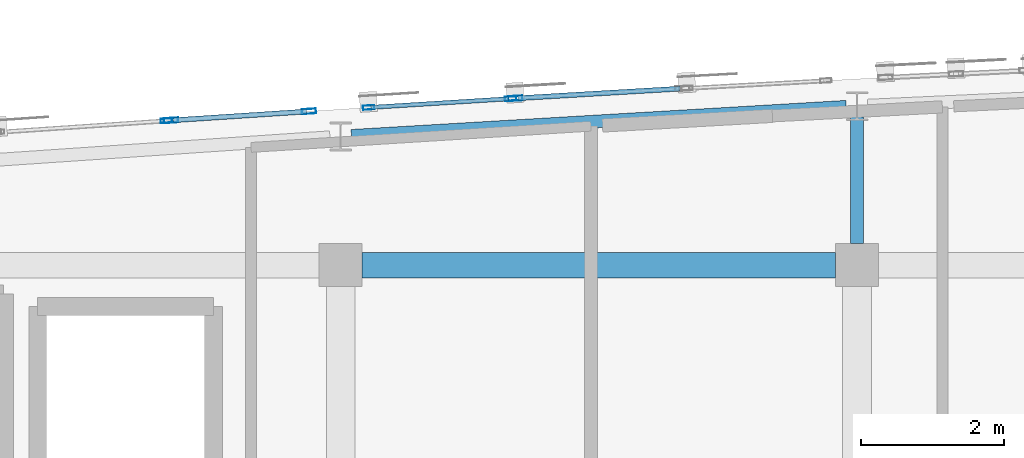
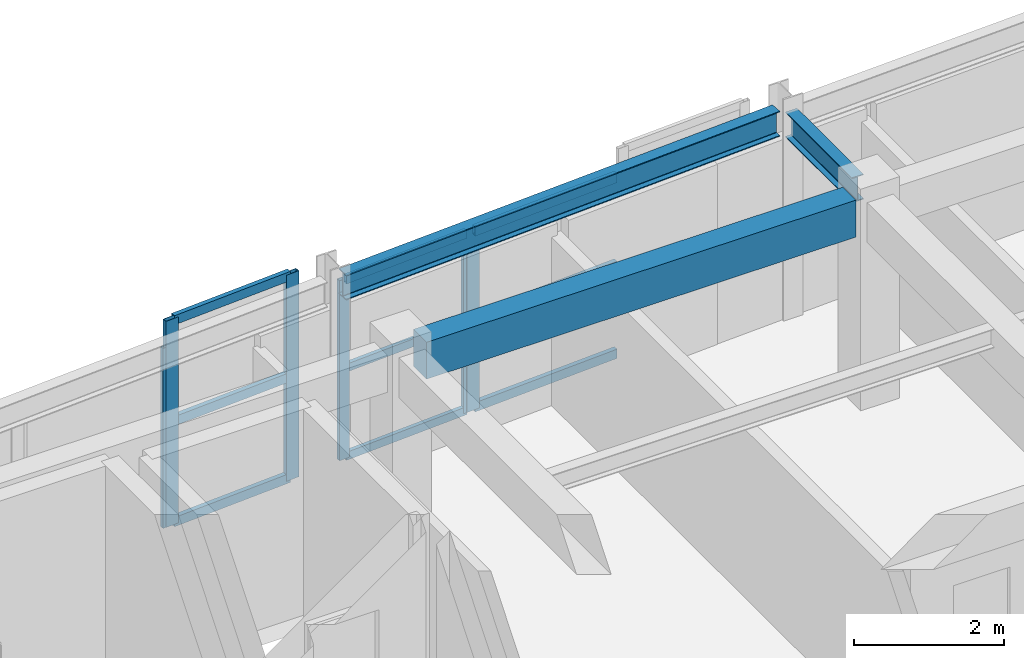
# One storey, part 16 of 73: 15 members, 3 beams, 4 elements without a shape of their own.
"""IFC4 building model written with IfcOpenShell, lengths in metres."""

from ifc_helpers import new_model, si_unit, direction, frame, origin, origin_2d, place, context, subcontext, project, spatial, rectangle, hollow_rectangle, i_section, extrude, material, layer, layer_set, material_profile, profile_set, type_object, element, aggregate, save


model = new_model("IFC4")

# Units and contexts
model_context = context("Model", 3, precision=1e-05, world=origin(), true_north=direction((0.0, 1.0)))
body_context = subcontext(model_context, "Body", "Model", "MODEL_VIEW")
ifc_project = project(units=[si_unit("LENGTHUNIT", "METRE"), si_unit("AREAUNIT", "SQUARE_METRE"), si_unit("VOLUMEUNIT", "CUBIC_METRE"), si_unit("PLANEANGLEUNIT", "RADIAN"), si_unit("MASSUNIT", "GRAM", prefix="KILO")], contexts=[model_context])

# Site, building, storey
site_placement = place(None, origin())
site = spatial("IfcSite", under=ifc_project, at=site_placement, CompositionType="ELEMENT")
building_placement = place(site_placement, origin())
building = spatial("IfcBuilding", under=site, at=building_placement, Name="Carrowvane Square Congress Hotel", CompositionType="ELEMENT")
storey_placement = place(building_placement, frame((0.0, 0.0, 19.199951171875)))
storey = spatial("IfcBuildingStorey", under=building, at=storey_placement, Name="L04", CompositionType="ELEMENT", Elevation=19.199951171875)

# Beams
ifc_material_1 = material(Name="Concrete C35/45", Category="concrete")
ifc_material_profile_1 = material_profile(ifc_material_1, rectangle(XDim=0.35009765625, YDim=0.60009765625, at=origin_2d()), Name="RC 350x600")
ifc_profile_set_1 = profile_set([ifc_material_profile_1], Name="Concrete C35/45")
beam_type_1 = type_object("IfcBeamType", Name="BM-RC-350x600", PredefinedType="BEAM", material=ifc_profile_set_1)
beam_1_placement = place(storey_placement, frame((69.5, 113.39990234375, 3.050048828125), z_axis=(1.0, 0.0, 0.0), x_axis=(0.0, 1.0, 0.0)))
element("IfcBeam", 1, at=beam_1_placement, inside=storey, type_object=beam_type_1, Name="L05 girder R/9-10", PredefinedType="BEAM", context=body_context, shape_type="SweptSolid", body=[
    extrude(rectangle(XDim=0.35009765625, YDim=0.60009765625, at=origin_2d()), origin(), (0.0, 0.0, 1.0), 6.60009765625),
])
ifc_material_2 = material(Name="Steel S355", Category="steel")
ifc_material_profile_2 = material_profile(ifc_material_2, i_section(OverallWidth=0.1787109375, OverallDepth=0.409423828125, WebThickness=0.0087890625, FlangeThickness=0.014404296875, FilletRadius=0.01025390625, at=origin_2d()), Name="UKB 406x178x67")
ifc_profile_set_2 = profile_set([ifc_material_profile_2], Name="Steel S355")
beam_type_2 = type_object("IfcBeamType", Name="BM-ST-UKB406", PredefinedType="BEAM", material=ifc_profile_set_2)
beam_2_placement = place(storey_placement, frame((69.349853515625, 115.203125, 3.145263671875), z_axis=(0.99827559088, 0.058701317296, 0.0), x_axis=(-0.058701317296, 0.99827559088, 0.0)))
element("IfcBeam", 2, at=beam_2_placement, inside=storey, type_object=beam_type_2, Name="L05 curved north spandrel", PredefinedType="BEAM", context=body_context, shape_type="SweptSolid", body=[
    extrude(i_section(OverallWidth=0.1787109375, OverallDepth=0.409423828125, WebThickness=0.0087890625, FlangeThickness=0.014404296875, FilletRadius=0.01025390625, at=origin_2d()), origin(), (0.0, 0.0, 1.0), 6.912353515625),
])
beam_3_placement = place(storey_placement, frame((76.39990234375, 113.699951171875, 3.145263671875), z_axis=(0.0, 1.0, 0.0), x_axis=(-1.0, 0.0, 0.0)))
element("IfcBeam", 3, at=beam_3_placement, inside=storey, type_object=beam_type_2, Name="L05 radial north beam 10", PredefinedType="BEAM", context=body_context, shape_type="SweptSolid", body=[
    extrude(i_section(OverallWidth=0.1787109375, OverallDepth=0.409423828125, WebThickness=0.0087890625, FlangeThickness=0.014404296875, FilletRadius=0.01025390625, at=origin_2d()), origin(), (0.0, 0.0, 1.0), 1.767578125),
])

# Curtain wall, member
ifc_material_3 = material(Name="Anodised aluminium", Category="aluminium")
ifc_layer_1 = layer(ifc_material_3, 0.18603515625)
ifc_layer_set_1 = layer_set([ifc_layer_1], Name="Anodised aluminium")
curtain_wall_type_1 = type_object("IfcCurtainWallType", Name="CW-SYS-3", PredefinedType="NOTDEFINED", material=ifc_layer_set_1)
curtain_wall_1_placement = place(storey_placement, origin())
curtain_wall_1 = element("IfcCurtainWall", 4, at=curtain_wall_1_placement, inside=storey, type_object=curtain_wall_type_1, Name="L04 unitised curtain wall 258", PredefinedType="NOTDEFINED")
ifc_material_4 = material(Name="Anodised aluminium", Category="aluminium")
ifc_material_profile_3 = material_profile(ifc_material_4, hollow_rectangle(XDim=0.06005859375, YDim=0.159912109375, WallThickness=0.00390625, at=origin_2d()), Name="CW-ML 60x160x4")
ifc_profile_set_3 = profile_set([ifc_material_profile_3], Name="Anodised aluminium")
member_type_1 = type_object("IfcMemberType", Name="CW-MUL-1", PredefinedType="MULLION", material=ifc_profile_set_3)
member_1_placement = place(storey_placement, frame((66.77001953125, 115.4150390625, 0.0), z_axis=(0.0, 0.0, 1.0), x_axis=(-0.067865424104, 0.997694484404, 0.0)))
member_1 = element("IfcMember", 5, at=member_1_placement, type_object=member_type_1, Name="CW-3 mullion 2", PredefinedType="MULLION", context=body_context, shape_type="SweptSolid", body=[
    extrude(hollow_rectangle(XDim=0.06005859375, YDim=0.159912109375, WallThickness=0.00390625, at=origin_2d()), origin(), (0.0, 0.0, 1.0), 2.925537109375),
])
aggregate(curtain_wall_1, [member_1])

# Curtain wall, members
ifc_material_5 = material(Name="Anodised aluminium", Category="aluminium")
ifc_layer_2 = layer(ifc_material_5, 0.2099609375)
ifc_layer_set_2 = layer_set([ifc_layer_2], Name="Anodised aluminium")
curtain_wall_type_2 = type_object("IfcCurtainWallType", Name="CW-SYS-5", PredefinedType="NOTDEFINED", material=ifc_layer_set_2)
curtain_wall_2_placement = place(storey_placement, origin())
curtain_wall_2 = element("IfcCurtainWall", 6, at=curtain_wall_2_placement, inside=storey, type_object=curtain_wall_type_2, Name="L04 unitised curtain wall 260", PredefinedType="NOTDEFINED")
member_2_placement = place(storey_placement, frame((69.58984375, 115.5986328125, 0.0), z_axis=(0.0, 0.0, 1.0), x_axis=(-0.062397474952, 0.998051378998, 0.0)))
member_2 = element("IfcMember", 7, at=member_2_placement, type_object=member_type_1, Name="CW-5 mullion 1", PredefinedType="MULLION", context=body_context, shape_type="SweptSolid", body=[
    extrude(hollow_rectangle(XDim=0.06005859375, YDim=0.159912109375, WallThickness=0.00390625, at=origin_2d()), origin(), (0.0, 0.0, 1.0), 2.925537109375),
])
member_3_placement = place(storey_placement, frame((71.570068359375, 115.722412109375, 0.0), z_axis=(0.0, 0.0, 1.0), x_axis=(-0.062397474952, 0.998051378998, 0.0)))
member_3 = element("IfcMember", 8, at=member_3_placement, type_object=member_type_1, Name="CW-5 mullion 2", PredefinedType="MULLION", context=body_context, shape_type="SweptSolid", body=[
    extrude(hollow_rectangle(XDim=0.06005859375, YDim=0.159912109375, WallThickness=0.00390625, at=origin_2d()), origin(), (0.0, 0.0, 1.0), 2.925537109375),
])

ifc_material_6 = material(Name="Anodised aluminium", Category="aluminium")
ifc_layer_3 = layer(ifc_material_6, 0.197998046875)
ifc_layer_set_3 = layer_set([ifc_layer_3], Name="Anodised aluminium")
curtain_wall_type_3 = type_object("IfcCurtainWallType", Name="CW-SYS-4", PredefinedType="NOTDEFINED", material=ifc_layer_set_3)
curtain_wall_3_placement = place(storey_placement, origin())
curtain_wall_3 = element("IfcCurtainWall", 9, at=curtain_wall_3_placement, inside=storey, type_object=curtain_wall_type_3, Name="L04 unitised curtain wall 259", PredefinedType="NOTDEFINED")
ifc_material_7 = material(Name="Anodised aluminium", Category="aluminium")
ifc_material_profile_4 = material_profile(ifc_material_7, hollow_rectangle(XDim=0.070068359375, YDim=0.199951171875, WallThickness=0.0048828125, at=origin_2d()), Name="CW-ML 70x200x5")
ifc_profile_set_4 = profile_set([ifc_material_profile_4], Name="Anodised aluminium")
member_type_2 = type_object("IfcMemberType", Name="CW-MUL-2", PredefinedType="MULLION", material=ifc_profile_set_4)
member_4_placement = place(storey_placement, frame((66.8349609375, 115.419189453125, 0.0), z_axis=(0.0, 0.0, 1.0), x_axis=(-0.065412223074, 0.997858327155, 0.0)))
member_4 = element("IfcMember", 10, at=member_4_placement, type_object=member_type_2, Name="CW-4 mullion 1", PredefinedType="MULLION", context=body_context, shape_type="SweptSolid", body=[
    extrude(hollow_rectangle(XDim=0.070068359375, YDim=0.199951171875, WallThickness=0.0048828125, at=origin_2d()), origin(), (0.0, 0.0, 1.0), 3.35009765625),
])
member_5_placement = place(storey_placement, frame((68.756591796875, 115.545166015625, 0.0), z_axis=(0.0, 0.0, 1.0), x_axis=(-0.065412223074, 0.997858327155, 0.0)))
member_5 = element("IfcMember", 11, at=member_5_placement, type_object=member_type_2, Name="CW-4 mullion 2", PredefinedType="MULLION", context=body_context, shape_type="SweptSolid", body=[
    extrude(hollow_rectangle(XDim=0.070068359375, YDim=0.199951171875, WallThickness=0.0048828125, at=origin_2d()), origin(), (0.0, 0.0, 1.0), 3.35009765625),
])

# Curtain wall, member
ifc_material_8 = material(Name="Anodised aluminium", Category="aluminium")
ifc_layer_4 = layer(ifc_material_8, 0.221923828125)
ifc_layer_set_4 = layer_set([ifc_layer_4], Name="Anodised aluminium")
curtain_wall_type_4 = type_object("IfcCurtainWallType", Name="CW-SYS-6", PredefinedType="NOTDEFINED", material=ifc_layer_set_4)
curtain_wall_4_placement = place(storey_placement, origin())
curtain_wall_4 = element("IfcCurtainWall", 12, at=curtain_wall_4_placement, inside=storey, type_object=curtain_wall_type_4, Name="L04 unitised curtain wall 261", PredefinedType="NOTDEFINED")
member_6_placement = place(storey_placement, frame((71.635009765625, 115.726318359375, 0.0), z_axis=(0.0, 0.0, 1.0), x_axis=(-0.058851249486, 0.998266763162, 0.0)))
member_6 = element("IfcMember", 13, at=member_6_placement, type_object=member_type_2, Name="CW-6 mullion 1", PredefinedType="MULLION", context=body_context, shape_type="SweptSolid", body=[
    extrude(hollow_rectangle(XDim=0.070068359375, YDim=0.199951171875, WallThickness=0.0048828125, at=origin_2d()), origin(), (0.0, 0.0, 1.0), 2.925537109375),
])

# Member
ifc_material_9 = material(Name="Anodised aluminium", Category="aluminium")
ifc_material_profile_5 = material_profile(ifc_material_9, hollow_rectangle(XDim=0.06005859375, YDim=0.1298828125, WallThickness=0.00390625, at=origin_2d()), Name="CW-TR 60x130x4")
ifc_profile_set_5 = profile_set([ifc_material_profile_5], Name="Anodised aluminium")
member_type_3 = type_object("IfcMemberType", Name="CW-TRN-1", PredefinedType="USERDEFINED", material=ifc_profile_set_5)
member_7_placement = place(storey_placement, frame((69.619873046875, 115.6005859375, 0.030029296875), z_axis=(0.998049120598, 0.062433587709, 0.0), x_axis=(-0.062433587709, 0.998049120598, 0.0)))
member_7 = element("IfcMember", 14, at=member_7_placement, type_object=member_type_3, Name="CW-5 transom 1.1", ObjectType="TRANSOM", PredefinedType="USERDEFINED", context=body_context, shape_type="SweptSolid", body=[
    extrude(hollow_rectangle(XDim=0.06005859375, YDim=0.1298828125, WallThickness=0.00390625, at=origin_2d()), origin(), (0.0, 0.0, 1.0), 1.923828125),
])

member_8_placement = place(storey_placement, frame((69.619873046875, 115.6005859375, 1.462890625), z_axis=(0.998049120598, 0.062433587709, 0.0), x_axis=(-0.062433587709, 0.998049120598, 0.0)))
member_8 = element("IfcMember", 15, at=member_8_placement, type_object=member_type_3, Name="CW-5 transom 1.2", ObjectType="TRANSOM", PredefinedType="USERDEFINED", context=body_context, shape_type="SweptSolid", body=[
    extrude(hollow_rectangle(XDim=0.06005859375, YDim=0.1298828125, WallThickness=0.00390625, at=origin_2d()), origin(), (0.0, 0.0, 1.0), 1.923828125),
])

member_9_placement = place(storey_placement, frame((69.619873046875, 115.6005859375, 2.895751953125), z_axis=(0.998049120598, 0.062433587709, 0.0), x_axis=(-0.062433587709, 0.998049120598, 0.0)))
member_9 = element("IfcMember", 16, at=member_9_placement, type_object=member_type_3, Name="CW-5 transom 1.3", ObjectType="TRANSOM", PredefinedType="USERDEFINED", context=body_context, shape_type="SweptSolid", body=[
    extrude(hollow_rectangle(XDim=0.06005859375, YDim=0.1298828125, WallThickness=0.00390625, at=origin_2d()), origin(), (0.0, 0.0, 1.0), 1.923828125),
])

aggregate(curtain_wall_2, [member_2, member_3, member_7, member_8, member_9])

ifc_material_10 = material(Name="Anodised aluminium", Category="aluminium")
ifc_material_profile_6 = material_profile(ifc_material_10, hollow_rectangle(XDim=0.070068359375, YDim=0.14990234375, WallThickness=0.0048828125, at=origin_2d()), Name="CW-TR 70x150x5")
ifc_profile_set_6 = profile_set([ifc_material_profile_6], Name="Anodised aluminium")
member_type_4 = type_object("IfcMemberType", Name="CW-TRN-2", PredefinedType="USERDEFINED", material=ifc_profile_set_6)
member_10_placement = place(storey_placement, frame((66.869873046875, 115.421630859375, 0.03515625), z_axis=(0.997860186588, 0.065383851382, 0.0), x_axis=(-0.065383851382, 0.997860186588, 0.0)))
member_10 = element("IfcMember", 17, at=member_10_placement, type_object=member_type_4, Name="CW-4 transom 1.1", ObjectType="TRANSOM", PredefinedType="USERDEFINED", context=body_context, shape_type="SweptSolid", body=[
    extrude(hollow_rectangle(XDim=0.070068359375, YDim=0.14990234375, WallThickness=0.0048828125, at=origin_2d()), origin(), (0.0, 0.0, 1.0), 1.855712890625),
])

member_11_placement = place(storey_placement, frame((66.869873046875, 115.421630859375, 1.675048828125), z_axis=(0.997860186588, 0.065383851382, 0.0), x_axis=(-0.065383851382, 0.997860186588, 0.0)))
member_11 = element("IfcMember", 18, at=member_11_placement, type_object=member_type_4, Name="CW-4 transom 1.2", ObjectType="TRANSOM", PredefinedType="USERDEFINED", context=body_context, shape_type="SweptSolid", body=[
    extrude(hollow_rectangle(XDim=0.070068359375, YDim=0.14990234375, WallThickness=0.0048828125, at=origin_2d()), origin(), (0.0, 0.0, 1.0), 1.855712890625),
])

member_12_placement = place(storey_placement, frame((66.869873046875, 115.421630859375, 3.31494140625), z_axis=(0.997860186588, 0.065383851382, 0.0), x_axis=(-0.065383851382, 0.997860186588, 0.0)))
member_12 = element("IfcMember", 19, at=member_12_placement, type_object=member_type_4, Name="CW-4 transom 1.3", ObjectType="TRANSOM", PredefinedType="USERDEFINED", context=body_context, shape_type="SweptSolid", body=[
    extrude(hollow_rectangle(XDim=0.070068359375, YDim=0.14990234375, WallThickness=0.0048828125, at=origin_2d()), origin(), (0.0, 0.0, 1.0), 1.855712890625),
])

aggregate(curtain_wall_3, [member_4, member_5, member_10, member_11, member_12])

member_13_placement = place(storey_placement, frame((71.669921875, 115.728515625, 0.03515625), z_axis=(0.998265438007, 0.058873723175, 0.0), x_axis=(-0.058873723175, 0.998265438007, 0.0)))
member_13 = element("IfcMember", 20, at=member_13_placement, type_object=member_type_4, Name="CW-6 transom 1.1", ObjectType="TRANSOM", PredefinedType="USERDEFINED", context=body_context, shape_type="SweptSolid", body=[
    extrude(hollow_rectangle(XDim=0.070068359375, YDim=0.14990234375, WallThickness=0.0048828125, at=origin_2d()), origin(), (0.0, 0.0, 1.0), 2.26416015625),
])

member_14_placement = place(storey_placement, frame((71.669921875, 115.728515625, 1.462890625), z_axis=(0.998265438007, 0.058873723175, 0.0), x_axis=(-0.058873723175, 0.998265438007, 0.0)))
member_14 = element("IfcMember", 21, at=member_14_placement, type_object=member_type_4, Name="CW-6 transom 1.2", ObjectType="TRANSOM", PredefinedType="USERDEFINED", context=body_context, shape_type="SweptSolid", body=[
    extrude(hollow_rectangle(XDim=0.070068359375, YDim=0.14990234375, WallThickness=0.0048828125, at=origin_2d()), origin(), (0.0, 0.0, 1.0), 2.26416015625),
])

member_15_placement = place(storey_placement, frame((71.669921875, 115.728515625, 2.890625), z_axis=(0.998265438007, 0.058873723175, 0.0), x_axis=(-0.058873723175, 0.998265438007, 0.0)))
member_15 = element("IfcMember", 22, at=member_15_placement, type_object=member_type_4, Name="CW-6 transom 1.3", ObjectType="TRANSOM", PredefinedType="USERDEFINED", context=body_context, shape_type="SweptSolid", body=[
    extrude(hollow_rectangle(XDim=0.070068359375, YDim=0.14990234375, WallThickness=0.0048828125, at=origin_2d()), origin(), (0.0, 0.0, 1.0), 2.26416015625),
])

aggregate(curtain_wall_4, [member_6, member_13, member_14, member_15])

save(model, "model.ifc")
